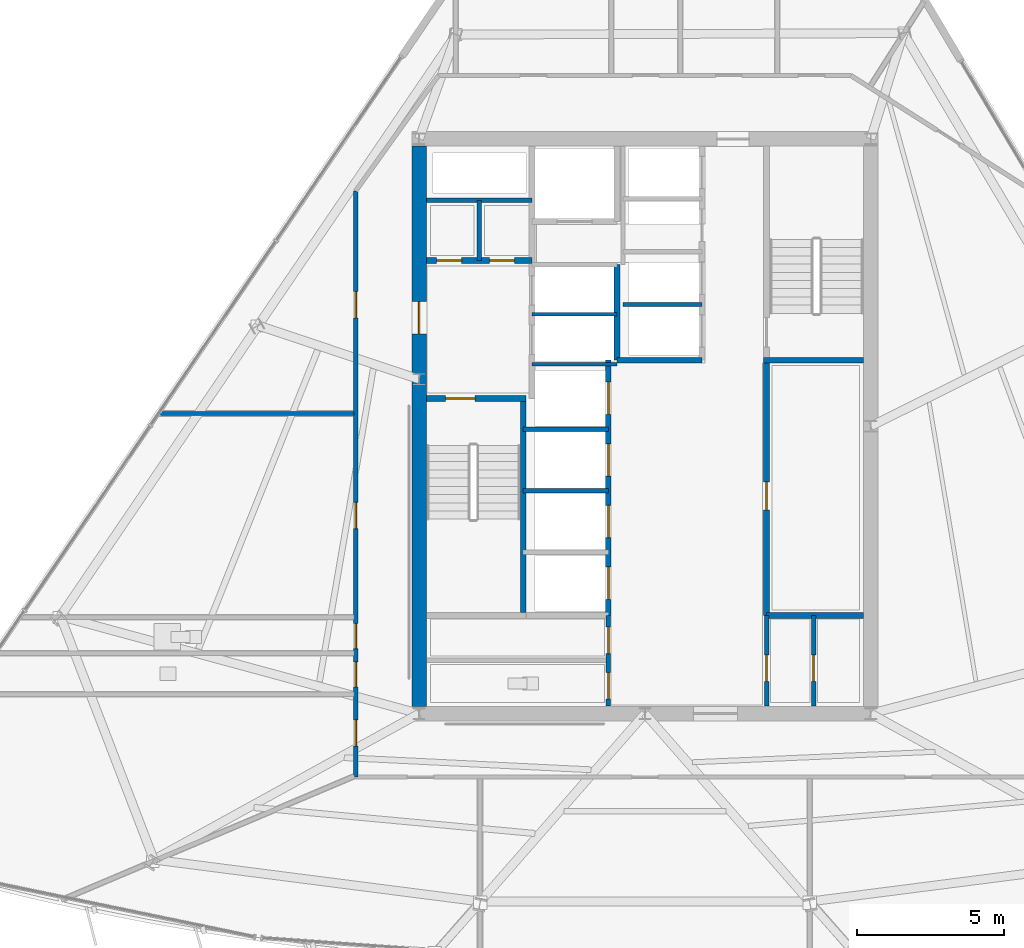
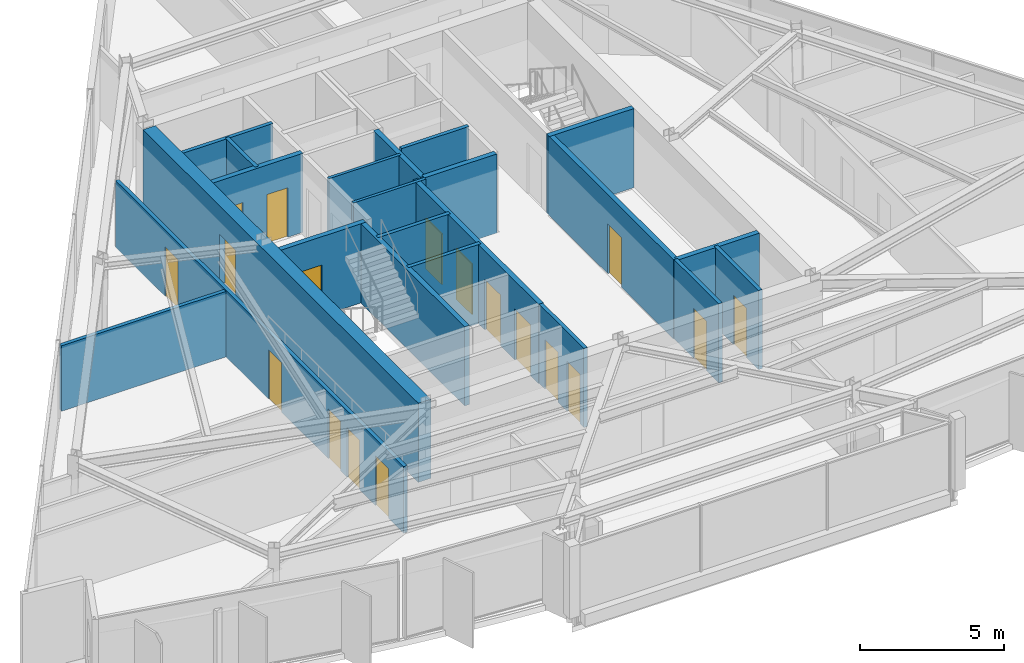
# One storey, part 8 of 14: 22 walls, 18 doors, 18 openings.
"""IFC4 building model written with IfcOpenShell, lengths in metres."""

from ifc_helpers import new_model, si_unit, direction, frame, frame_2d, origin, place, context, subcontext, project, spatial, rectangle, extrude, material, layer, layer_set, type_object, element, fill, save


model = new_model("IFC4")

# Units and contexts
model_context = context("Model", 3, precision=1e-05, world=origin(), true_north=direction((0.0, 1.0)))
body_context = subcontext(model_context, "Body", "Model", "MODEL_VIEW")
ifc_project = project(units=[si_unit("LENGTHUNIT", "METRE"), si_unit("AREAUNIT", "SQUARE_METRE"), si_unit("VOLUMEUNIT", "CUBIC_METRE"), si_unit("PLANEANGLEUNIT", "RADIAN"), si_unit("MASSUNIT", "GRAM", prefix="KILO")], contexts=[model_context])

# Site, building, storey
site_placement = place(None, origin())
site = spatial("IfcSite", under=ifc_project, at=site_placement, CompositionType="ELEMENT")
building_placement = place(site_placement, origin())
building = spatial("IfcBuilding", under=site, at=building_placement, Name="Savorim Split Tower", CompositionType="ELEMENT")
storey_placement = place(building_placement, frame((0.0, 0.0, 205.5)))
storey = spatial("IfcBuildingStorey", under=building, at=storey_placement, Name="L54", CompositionType="ELEMENT", Elevation=205.5)

# Wall, opening, door
ifc_material_1 = material(Name="Concrete C60/75", Category="concrete")
ifc_layer_1 = layer(ifc_material_1, 0.5)
ifc_layer_set_1 = layer_set([ifc_layer_1], Name="WAL-COR-SH500")
wall_type_1 = type_object("IfcWallType", Name="WAL-COR-SH500", PredefinedType="SHEAR", material=ifc_layer_set_1)
wall_1_placement = place(storey_placement, frame((-7.699951171875, -9.14990234375, 0.0), z_axis=(0.0, 0.0, 1.0), x_axis=(0.0, 1.0, 0.0)))
wall_1 = element("IfcWall", 1, at=wall_1_placement, inside=storey, type_object=wall_type_1, Name="L54 Offset Core West Shear Wall", PredefinedType="SHEAR", context=body_context, shape_type="SweptSolid", body=[
    extrude(rectangle(XDim=19.099853515625, YDim=0.5, at=frame_2d((9.5498046875, 0.0))), origin(), (0.0, 0.0, 1.0), 3.35009765625),
])
opening_1_placement = place(wall_1_placement, frame((12.699951171875, 0.0, 0.0)))
opening_1 = element("IfcOpeningElement", 2, at=opening_1_placement, cuts=wall_1, Name="Opening DI-03", PredefinedType="OPENING", context=body_context, shape_type="SweptSolid", body=[
    extrude(rectangle(XDim=1.10009765625, YDim=2.14990234375, at=frame_2d((0.550048828125, 1.074951171875))), frame((0.0, 0.260009765625, 0.0), z_axis=(0.0, -1.0, 0.0), x_axis=(1.0, 0.0, 0.0)), (0.0, 0.0, 1.0), 0.52001953125),
])
ifc_material_2 = material(Name="Timber Fire Door Leaf", Category="wood")
door_type_1 = type_object("IfcDoorType", Name="DOR-FIR-1100", OperationType="NOTDEFINED", PredefinedType="DOOR", material=ifc_material_2)
door_1_placement = place(opening_1_placement, origin())
door_1 = element("IfcDoor", 3, at=door_1_placement, inside=storey, type_object=door_type_1, Name="DOR-L54-COR-FFLOB - L54 Firefighting Lobby Corridor Door", OperationType="SINGLE_SWING_RIGHT", OverallHeight=2.14990234375, OverallWidth=1.10009765625, PredefinedType="DOOR", context=body_context, shape_type="SweptSolid", body=[
    extrude(rectangle(XDim=1.10009765625, YDim=2.14990234375, at=frame_2d((0.550048828125, 1.074951171875))), frame((0.0, 0.02490234375, 0.0), z_axis=(0.0, -1.0, 0.0), x_axis=(1.0, 0.0, 0.0)), (0.0, 0.0, 1.0), 0.050048828125),
])
fill(opening_1, door_1)

ifc_material_3 = material(Name="Concrete C50/60", Category="concrete")
ifc_layer_2 = layer(ifc_material_3, 0.199951171875)
ifc_layer_set_2 = layer_set([ifc_layer_2], Name="WAL-INT-RC200")
wall_type_2 = type_object("IfcWallType", Name="WAL-INT-RC200", PredefinedType="SOLIDWALL", material=ifc_layer_set_2)
wall_2_placement = place(storey_placement, frame((-7.449951171875, 1.35009765625, 0.0), z_axis=(0.0, 0.0, 1.0), x_axis=(1.0, 0.0, 0.0)))
wall_2 = element("IfcWall", 4, at=wall_2_placement, inside=storey, type_object=wall_type_2, Name="L54 Structural Shaft Wall W-L54-CR01", PredefinedType="SOLIDWALL", context=body_context, shape_type="SweptSolid", body=[
    extrude(rectangle(XDim=3.39990234375, YDim=0.199951171875, at=frame_2d((1.699951171875, 0.0))), origin(), (0.0, 0.0, 1.0), 3.35009765625),
])
opening_2_placement = place(wall_2_placement, frame((0.64990234375, 0.0, 0.0)))
opening_2 = element("IfcOpeningElement", 5, at=opening_2_placement, cuts=wall_2, Name="Opening DI-04", PredefinedType="OPENING", context=body_context, shape_type="SweptSolid", body=[
    extrude(rectangle(XDim=1.0, YDim=2.14990234375, at=frame_2d((0.5, 1.074951171875))), frame((0.0, 0.10986328125, 0.0), z_axis=(0.0, -1.0, 0.0), x_axis=(1.0, 0.0, 0.0)), (0.0, 0.0, 1.0), 0.219970703125),
])
door_type_2 = type_object("IfcDoorType", Name="DOR-FIR-1000", OperationType="NOTDEFINED", PredefinedType="DOOR", material=ifc_material_2)
door_2_placement = place(opening_2_placement, origin())
door_2 = element("IfcDoor", 6, at=door_2_placement, inside=storey, type_object=door_type_2, Name="DR-L54-ST1 - L54 Stair ST-1 Enclosure Door", OperationType="SINGLE_SWING_LEFT", OverallHeight=2.14990234375, OverallWidth=1.0, PredefinedType="DOOR", context=body_context, shape_type="SweptSolid", body=[
    extrude(rectangle(XDim=1.0, YDim=2.14990234375, at=frame_2d((0.5, 1.074951171875))), frame((0.0, 0.02490234375, 0.0), z_axis=(0.0, -1.0, 0.0), x_axis=(1.0, 0.0, 0.0)), (0.0, 0.0, 1.0), 0.050048828125),
])
fill(opening_2, door_2)

# Wall
wall_3_placement = place(storey_placement, frame((-4.14990234375, -5.949951171875, 0.0), z_axis=(0.0, 0.0, 1.0), x_axis=(0.0, 1.0, 0.0)))
element("IfcWall", 7, at=wall_3_placement, inside=storey, type_object=wall_type_2, Name="L54 Structural Shaft Wall W-L54-CR02", PredefinedType="SOLIDWALL", context=body_context, shape_type="SweptSolid", body=[
    extrude(rectangle(XDim=7.199951171875, YDim=0.199951171875, at=frame_2d((3.60009765625, 0.0))), origin(), (0.0, 0.0, 1.0), 3.35009765625),
])

# Wall, openings, doors
wall_4_placement = place(storey_placement, frame((-7.445068359375, 6.050048828125, 0.0), z_axis=(0.0, 0.0, 1.0), x_axis=(1.0, 0.0, 0.0)))
wall_4 = element("IfcWall", 8, at=wall_4_placement, inside=storey, type_object=wall_type_2, Name="L54 Partition W-L54-CR04", PredefinedType="SOLIDWALL", context=body_context, shape_type="SweptSolid", body=[
    extrude(rectangle(XDim=3.594970703125, YDim=0.199951171875, at=frame_2d((1.79736328125, 0.0))), origin(), (0.0, 0.0, 1.0), 3.35009765625),
])
opening_3_placement = place(wall_4_placement, frame((0.344970703125, 0.0, 0.0)))
opening_3 = element("IfcOpeningElement", 9, at=opening_3_placement, cuts=wall_4, Name="Opening DI-12", PredefinedType="OPENING", context=body_context, shape_type="SweptSolid", body=[
    extrude(rectangle(XDim=0.85009765625, YDim=2.10009765625, at=frame_2d((0.425048828125, 1.050048828125))), frame((0.0, 0.10986328125, 0.0), z_axis=(0.0, -1.0, 0.0), x_axis=(1.0, 0.0, 0.0)), (0.0, 0.0, 1.0), 0.219970703125),
])
opening_4_placement = place(wall_4_placement, frame((2.14501953125, 0.0, 0.0)))
opening_4 = element("IfcOpeningElement", 10, at=opening_4_placement, cuts=wall_4, Name="Opening DI-12", PredefinedType="OPENING", context=body_context, shape_type="SweptSolid", body=[
    extrude(rectangle(XDim=0.85009765625, YDim=2.10009765625, at=frame_2d((0.425048828125, 1.050048828125))), frame((0.0, 0.10986328125, 0.0), z_axis=(0.0, -1.0, 0.0), x_axis=(1.0, 0.0, 0.0)), (0.0, 0.0, 1.0), 0.219970703125),
])
ifc_material_4 = material(Name="Galvanised Painted Steel Balustrade", Category="steel")
door_type_3 = type_object("IfcDoorType", Name="DOR-RIS-850", OperationType="NOTDEFINED", PredefinedType="DOOR", material=ifc_material_4)
door_3_placement = place(opening_3_placement, origin())
door_3 = element("IfcDoor", 11, at=door_3_placement, inside=storey, type_object=door_type_3, Name="DR-L54-ELR - L54 Electrical Riser Access Door", OperationType="SINGLE_SWING_RIGHT", OverallHeight=2.10009765625, OverallWidth=0.85009765625, PredefinedType="DOOR", context=body_context, shape_type="SweptSolid", body=[
    extrude(rectangle(XDim=0.85009765625, YDim=2.10009765625, at=frame_2d((0.425048828125, 1.050048828125))), frame((0.0, 0.02490234375, 0.0), z_axis=(0.0, -1.0, 0.0), x_axis=(1.0, 0.0, 0.0)), (0.0, 0.0, 1.0), 0.050048828125),
])
fill(opening_3, door_3)
door_4_placement = place(opening_4_placement, origin())
door_4 = element("IfcDoor", 12, at=door_4_placement, inside=storey, type_object=door_type_3, Name="DR-L54-TLR - L54 Telecom Riser Access Door", OperationType="SINGLE_SWING_LEFT", OverallHeight=2.10009765625, OverallWidth=0.85009765625, PredefinedType="DOOR", context=body_context, shape_type="SweptSolid", body=[
    extrude(rectangle(XDim=0.85009765625, YDim=2.10009765625, at=frame_2d((0.425048828125, 1.050048828125))), frame((0.0, 0.02490234375, 0.0), z_axis=(0.0, -1.0, 0.0), x_axis=(1.0, 0.0, 0.0)), (0.0, 0.0, 1.0), 0.050048828125),
])
fill(opening_4, door_4)

# Walls
wall_5_placement = place(storey_placement, frame((4.050048828125, 2.64990234375, 0.0), z_axis=(0.0, 0.0, 1.0), x_axis=(1.0, 0.0, 0.0)))
element("IfcWall", 13, at=wall_5_placement, inside=storey, type_object=wall_type_2, Name="L54 Structural Shaft Wall W-L54-CR08", PredefinedType="SOLIDWALL", context=body_context, shape_type="SweptSolid", body=[
    extrude(rectangle(XDim=3.39990234375, YDim=0.199951171875, at=frame_2d((1.699951171875, 0.0))), origin(), (0.0, 0.0, 1.0), 3.35009765625),
])
wall_6_placement = place(storey_placement, frame((-0.949951171875, 2.64990234375, 0.0), z_axis=(0.0, 0.0, 1.0), x_axis=(0.0, 1.0, 0.0)))
element("IfcWall", 14, at=wall_6_placement, inside=storey, type_object=wall_type_2, Name="L54 Partition W-L54-FFLW", PredefinedType="SOLIDWALL", context=body_context, shape_type="SweptSolid", body=[
    extrude(rectangle(XDim=3.27001953125, YDim=0.199951171875, at=frame_2d((1.635009765625, 0.0))), origin(), (0.0, 0.0, 1.0), 3.35009765625),
])

# Wall, opening, door
wall_7_placement = place(storey_placement, frame((4.14990234375, -6.050048828125, 0.0), z_axis=(0.0, 0.0, 1.0), x_axis=(0.0, 1.0, 0.0)))
wall_7 = element("IfcWall", 15, at=wall_7_placement, inside=storey, type_object=wall_type_2, Name="L54 Partition W-L54-B1FRONT", PredefinedType="SOLIDWALL", context=body_context, shape_type="SweptSolid", body=[
    extrude(rectangle(XDim=8.699951171875, YDim=0.199951171875, at=frame_2d((4.35009765625, 0.0))), origin(), (0.0, 0.0, 1.0), 3.35009765625),
])
opening_5_placement = place(wall_7_placement, frame((3.60009765625, 0.0, 0.0)))
opening_5 = element("IfcOpeningElement", 16, at=opening_5_placement, cuts=wall_7, Name="Opening DI-05", PredefinedType="OPENING", context=body_context, shape_type="SweptSolid", body=[
    extrude(rectangle(XDim=0.949951171875, YDim=2.10009765625, at=frame_2d((0.47509765625, 1.050048828125))), frame((0.0, 0.10986328125, 0.0), z_axis=(0.0, -1.0, 0.0), x_axis=(1.0, 0.0, 0.0)), (0.0, 0.0, 1.0), 0.219970703125),
])
door_type_4 = type_object("IfcDoorType", Name="DOR-FIR-950", OperationType="NOTDEFINED", PredefinedType="DOOR", material=ifc_material_2)
door_5_placement = place(opening_5_placement, origin())
door_5 = element("IfcDoor", 17, at=door_5_placement, inside=storey, type_object=door_type_4, Name="DR-L54-LV7B1 - L54 Shared Pantry and Linen Room Door", OperationType="SINGLE_SWING_RIGHT", OverallHeight=2.10009765625, OverallWidth=0.949951171875, PredefinedType="DOOR", context=body_context, shape_type="SweptSolid", body=[
    extrude(rectangle(XDim=0.949951171875, YDim=2.10009765625, at=frame_2d((0.47509765625, 1.050048828125))), frame((0.0, 0.02490234375, 0.0), z_axis=(0.0, -1.0, 0.0), x_axis=(1.0, 0.0, 0.0)), (0.0, 0.0, 1.0), 0.050048828125),
])
fill(opening_5, door_5)

# Wall, openings, doors
wall_8_placement = place(storey_placement, frame((-1.25, -6.050048828125, 0.0), z_axis=(0.0, 0.0, 1.0), x_axis=(0.0, 1.0, 0.0)))
wall_8 = element("IfcWall", 18, at=wall_8_placement, inside=storey, type_object=wall_type_2, Name="L54 Partition W-L54-B2FRONT", PredefinedType="SOLIDWALL", context=body_context, shape_type="SweptSolid", body=[
    extrude(rectangle(XDim=8.699951171875, YDim=0.199951171875, at=frame_2d((4.35009765625, 0.0))), origin(), (0.0, 0.0, 1.0), 3.35009765625),
])
opening_6_placement = place(wall_8_placement, frame((0.550048828125, 0.0, 0.0)))
opening_6 = element("IfcOpeningElement", 19, at=opening_6_placement, cuts=wall_8, Name="Opening LD-02", PredefinedType="OPENING", context=body_context, shape_type="SweptSolid", body=[
    extrude(rectangle(XDim=1.10009765625, YDim=2.14990234375, at=frame_2d((0.550048828125, 1.074951171875))), frame((0.0, 0.10986328125, 0.0), z_axis=(0.0, -1.0, 0.0), x_axis=(1.0, 0.0, 0.0)), (0.0, 0.0, 1.0), 0.219970703125),
])
opening_7_placement = place(wall_8_placement, frame((2.64990234375, 0.0, 0.0)))
opening_7 = element("IfcOpeningElement", 20, at=opening_7_placement, cuts=wall_8, Name="Opening LD-02", PredefinedType="OPENING", context=body_context, shape_type="SweptSolid", body=[
    extrude(rectangle(XDim=1.10009765625, YDim=2.14990234375, at=frame_2d((0.550048828125, 1.074951171875))), frame((0.0, 0.10986328125, 0.0), z_axis=(0.0, -1.0, 0.0), x_axis=(1.0, 0.0, 0.0)), (0.0, 0.0, 1.0), 0.219970703125),
])
opening_8_placement = place(wall_8_placement, frame((4.75, 0.0, 0.0)))
opening_8 = element("IfcOpeningElement", 21, at=opening_8_placement, cuts=wall_8, Name="Opening LD-02", PredefinedType="OPENING", context=body_context, shape_type="SweptSolid", body=[
    extrude(rectangle(XDim=1.10009765625, YDim=2.14990234375, at=frame_2d((0.550048828125, 1.074951171875))), frame((0.0, 0.10986328125, 0.0), z_axis=(0.0, -1.0, 0.0), x_axis=(1.0, 0.0, 0.0)), (0.0, 0.0, 1.0), 0.219970703125),
])
opening_9_placement = place(wall_8_placement, frame((6.85009765625, 0.0, 0.0)))
opening_9 = element("IfcOpeningElement", 22, at=opening_9_placement, cuts=wall_8, Name="Opening LD-02", PredefinedType="OPENING", context=body_context, shape_type="SweptSolid", body=[
    extrude(rectangle(XDim=1.10009765625, YDim=2.14990234375, at=frame_2d((0.550048828125, 1.074951171875))), frame((0.0, 0.10986328125, 0.0), z_axis=(0.0, -1.0, 0.0), x_axis=(1.0, 0.0, 0.0)), (0.0, 0.0, 1.0), 0.219970703125),
])
ifc_material_5 = material(Name="Charcoal Anodised Aluminium", Category="aluminium")
door_type_5 = type_object("IfcDoorType", Name="DOR-SLD-LDM1100", OperationType="NOTDEFINED", PredefinedType="DOOR", material=ifc_material_5)
door_6_placement = place(opening_6_placement, origin())
door_6 = element("IfcDoor", 23, at=door_6_placement, inside=storey, type_object=door_type_5, Name="DR-L54-LD-PLM1 - L54 Lift PL-M1 Sliding Landing Door", OperationType="DOUBLE_DOOR_SLIDING", OverallHeight=2.14990234375, OverallWidth=1.10009765625, PredefinedType="DOOR", context=body_context, shape_type="SweptSolid", body=[
    extrude(rectangle(XDim=1.10009765625, YDim=2.14990234375, at=frame_2d((0.550048828125, 1.074951171875))), frame((0.0, 0.02490234375, 0.0), z_axis=(0.0, -1.0, 0.0), x_axis=(1.0, 0.0, 0.0)), (0.0, 0.0, 1.0), 0.050048828125),
])
fill(opening_6, door_6)
door_7_placement = place(opening_7_placement, origin())
door_7 = element("IfcDoor", 24, at=door_7_placement, inside=storey, type_object=door_type_5, Name="DR-L54-LD-PLM2 - L54 Lift PL-M2 Sliding Landing Door", OperationType="DOUBLE_DOOR_SLIDING", OverallHeight=2.14990234375, OverallWidth=1.10009765625, PredefinedType="DOOR", context=body_context, shape_type="SweptSolid", body=[
    extrude(rectangle(XDim=1.10009765625, YDim=2.14990234375, at=frame_2d((0.550048828125, 1.074951171875))), frame((0.0, 0.02490234375, 0.0), z_axis=(0.0, -1.0, 0.0), x_axis=(1.0, 0.0, 0.0)), (0.0, 0.0, 1.0), 0.050048828125),
])
fill(opening_7, door_7)
door_8_placement = place(opening_8_placement, origin())
door_8 = element("IfcDoor", 25, at=door_8_placement, inside=storey, type_object=door_type_5, Name="DR-L54-LD-PLM3 - L54 Lift PL-M3 Sliding Landing Door", OperationType="DOUBLE_DOOR_SLIDING", OverallHeight=2.14990234375, OverallWidth=1.10009765625, PredefinedType="DOOR", context=body_context, shape_type="SweptSolid", body=[
    extrude(rectangle(XDim=1.10009765625, YDim=2.14990234375, at=frame_2d((0.550048828125, 1.074951171875))), frame((0.0, 0.02490234375, 0.0), z_axis=(0.0, -1.0, 0.0), x_axis=(1.0, 0.0, 0.0)), (0.0, 0.0, 1.0), 0.050048828125),
])
fill(opening_8, door_8)
door_9_placement = place(opening_9_placement, origin())
door_9 = element("IfcDoor", 26, at=door_9_placement, inside=storey, type_object=door_type_5, Name="DR-L54-LD-PLM4 - L54 Lift PL-M4 Sliding Landing Door", OperationType="DOUBLE_DOOR_SLIDING", OverallHeight=2.14990234375, OverallWidth=1.10009765625, PredefinedType="DOOR", context=body_context, shape_type="SweptSolid", body=[
    extrude(rectangle(XDim=1.10009765625, YDim=2.14990234375, at=frame_2d((0.550048828125, 1.074951171875))), frame((0.0, 0.02490234375, 0.0), z_axis=(0.0, -1.0, 0.0), x_axis=(1.0, 0.0, 0.0)), (0.0, 0.0, 1.0), 0.050048828125),
])
fill(opening_9, door_9)

# Walls
wall_9_placement = place(storey_placement, frame((-0.949951171875, 2.64990234375, 0.0), z_axis=(0.0, 0.0, 1.0), x_axis=(1.0, 0.0, 0.0)))
element("IfcWall", 27, at=wall_9_placement, inside=storey, type_object=wall_type_2, Name="L54 Partition W-L54-B3SOUTH", PredefinedType="SOLIDWALL", context=body_context, shape_type="SweptSolid", body=[
    extrude(rectangle(XDim=2.89990234375, YDim=0.199951171875, at=frame_2d((1.449951171875, 0.0))), origin(), (0.0, 0.0, 1.0), 3.35009765625),
])
wall_10_placement = place(storey_placement, frame((4.14990234375, -6.050048828125, 0.0), z_axis=(0.0, 0.0, 1.0), x_axis=(1.0, 0.0, 0.0)))
element("IfcWall", 28, at=wall_10_placement, inside=storey, type_object=wall_type_2, Name="L54 Partition W-L54-KSEP-E", PredefinedType="SOLIDWALL", context=body_context, shape_type="SweptSolid", body=[
    extrude(rectangle(XDim=3.295166015625, YDim=0.199951171875, at=frame_2d((1.6474609375, 0.0))), origin(), (0.0, 0.0, 1.0), 3.35009765625),
])
ifc_material_6 = material(Name="Acoustic Gypsum Partition Board")
ifc_layer_3 = layer(ifc_material_6, 0.1201171875)
ifc_layer_set_3 = layer_set([ifc_layer_3], Name="WAL-PAR-120")
wall_type_3 = type_object("IfcWallType", Name="WAL-PAR-120", PredefinedType="PARTITIONING", material=ifc_layer_set_3)
for number, where, z_axis, x_axis, name in (
    (29, (-3.85009765625, 2.52001953125, 0.0), (0.0, 0.0, 1.0), (1.0, 0.0, 0.0), "L54 Partition W-L54-FFLD0"),
    (30, (-3.85009765625, 4.219970703125, 0.0), (0.0, 0.0, 1.0), (1.0, 0.0, 0.0), "L54 Partition W-L54-FFLD1"),
):
    element("IfcWall", number, at=place(storey_placement, frame(where, z_axis=z_axis, x_axis=x_axis)), inside=storey, type_object=wall_type_3, Name=name, PredefinedType="PARTITIONING", context=body_context, shape_type="SweptSolid", body=[
        extrude(rectangle(XDim=2.900146484375, YDim=0.1201171875, at=frame_2d((1.4501953125, 0.0))), origin(), (0.0, 0.0, 1.0), 3.35009765625),
    ])
ifc_layer_4 = layer(ifc_material_6, 0.14990234375)
ifc_layer_set_4 = layer_set([ifc_layer_4], Name="WAL-PAR-150")
wall_type_4 = type_object("IfcWallType", Name="WAL-PAR-150", PredefinedType="PARTITIONING", material=ifc_layer_set_4)
wall_11_placement = place(storey_placement, frame((-7.445068359375, 8.10009765625, 0.0), z_axis=(0.0, 0.0, 1.0), x_axis=(1.0, 0.0, 0.0)))
element("IfcWall", 31, at=wall_11_placement, inside=storey, type_object=wall_type_4, Name="L54 Partition W-L54-CR05", PredefinedType="PARTITIONING", context=body_context, shape_type="SweptSolid", body=[
    extrude(rectangle(XDim=3.594970703125, YDim=0.14990234375, at=frame_2d((1.79736328125, 0.0))), origin(), (0.0, 0.0, 1.0), 3.35009765625),
])
wall_12_placement = place(storey_placement, frame((-5.64990234375, 6.050048828125, 0.0), z_axis=(0.0, 0.0, 1.0), x_axis=(0.0, 1.0, 0.0)))
element("IfcWall", 32, at=wall_12_placement, inside=storey, type_object=wall_type_4, Name="L54 Partition W-L54-CR06", PredefinedType="PARTITIONING", context=body_context, shape_type="SweptSolid", body=[
    extrude(rectangle(XDim=2.050048828125, YDim=0.14990234375, at=frame_2d((1.02490234375, 0.0))), origin(), (0.0, 0.0, 1.0), 3.35009765625),
])
for number, where, z_axis, x_axis, name in (
    (33, (-4.14990234375, -1.800048828125, 0.0), (0.0, 0.0, 1.0), (1.0, 0.0, 0.0), "L54 Partition W-L54-B2DIV2"),
    (34, (-4.14990234375, 0.300048828125, 0.0), (0.0, 0.0, 1.0), (1.0, 0.0, 0.0), "L54 Partition W-L54-B2DIV3"),
):
    element("IfcWall", number, at=place(storey_placement, frame(where, z_axis=z_axis, x_axis=x_axis)), inside=storey, type_object=wall_type_4, Name=name, PredefinedType="PARTITIONING", context=body_context, shape_type="SweptSolid", body=[
        extrude(rectangle(XDim=2.89990234375, YDim=0.14990234375, at=frame_2d((1.449951171875, 0.0))), origin(), (0.0, 0.0, 1.0), 3.35009765625),
    ])
wall_13_placement = place(storey_placement, frame((-0.75, 4.550048828125, 0.0), z_axis=(0.0, 0.0, 1.0), x_axis=(1.0, 0.0, 0.0)))
element("IfcWall", 35, at=wall_13_placement, inside=storey, type_object=wall_type_4, Name="L54 Partition W-L54-B3DIV1", PredefinedType="PARTITIONING", context=body_context, shape_type="SweptSolid", body=[
    extrude(rectangle(XDim=2.699951171875, YDim=0.14990234375, at=frame_2d((1.35009765625, 0.0))), origin(), (0.0, 0.0, 1.0), 3.35009765625),
])

# Wall, openings, doors
wall_14_placement = place(storey_placement, frame((-1.25, -9.14501953125, 0.0), z_axis=(0.0, 0.0, 1.0), x_axis=(0.0, 1.0, 0.0)))
wall_14 = element("IfcWall", 36, at=wall_14_placement, inside=storey, type_object=wall_type_4, Name="L54 Partition W-L54-KLOB-W", PredefinedType="PARTITIONING", context=body_context, shape_type="SweptSolid", body=[
    extrude(rectangle(XDim=3.094970703125, YDim=0.14990234375, at=frame_2d((1.54736328125, 0.0))), origin(), (0.0, 0.0, 1.0), 3.35009765625),
])
opening_10_placement = place(wall_14_placement, frame((1.794921875, 0.0, 0.0)))
opening_10 = element("IfcOpeningElement", 37, at=opening_10_placement, cuts=wall_14, Name="Opening DI-06", PredefinedType="OPENING", context=body_context, shape_type="SweptSolid", body=[
    extrude(rectangle(XDim=0.89990234375, YDim=2.10009765625, at=frame_2d((0.449951171875, 1.050048828125))), frame((0.0, 0.0849609375, 0.0), z_axis=(0.0, -1.0, 0.0), x_axis=(1.0, 0.0, 0.0)), (0.0, 0.0, 1.0), 0.169921875),
])
opening_11_placement = place(wall_14_placement, frame((0.2451171875, 0.0, 0.0)))
opening_11 = element("IfcOpeningElement", 38, at=opening_11_placement, cuts=wall_14, Name="Opening DI-11", PredefinedType="OPENING", context=body_context, shape_type="SweptSolid", body=[
    extrude(rectangle(XDim=0.89990234375, YDim=2.10009765625, at=frame_2d((0.449951171875, 1.050048828125))), frame((0.0, 0.0849609375, 0.0), z_axis=(0.0, -1.0, 0.0), x_axis=(1.0, 0.0, 0.0)), (0.0, 0.0, 1.0), 0.169921875),
])
door_type_6 = type_object("IfcDoorType", Name="DOR-FIR-900", OperationType="NOTDEFINED", PredefinedType="DOOR", material=ifc_material_2)
door_10_placement = place(opening_10_placement, origin())
door_10 = element("IfcDoor", 39, at=door_10_placement, inside=storey, type_object=door_type_6, Name="DR-L54-K2CLN - L54 Cleaning Store Door", OperationType="SINGLE_SWING_LEFT", OverallHeight=2.10009765625, OverallWidth=0.89990234375, PredefinedType="DOOR", context=body_context, shape_type="SweptSolid", body=[
    extrude(rectangle(XDim=0.89990234375, YDim=2.10009765625, at=frame_2d((0.449951171875, 1.050048828125))), frame((0.0, 0.02490234375, 0.0), z_axis=(0.0, -1.0, 0.0), x_axis=(1.0, 0.0, 0.0)), (0.0, 0.0, 1.0), 0.050048828125),
])
fill(opening_10, door_10)
ifc_material_7 = material(Name="Oak Veneer Acoustic Door")
door_type_7 = type_object("IfcDoorType", Name="DOR-WC-900", OperationType="NOTDEFINED", PredefinedType="DOOR", material=ifc_material_7)
door_11_placement = place(opening_11_placement, origin())
door_11 = element("IfcDoor", 40, at=door_11_placement, inside=storey, type_object=door_type_7, Name="DR-L54-K2WC - L54 Core WC Door", OperationType="SINGLE_SWING_RIGHT", OverallHeight=2.10009765625, OverallWidth=0.89990234375, PredefinedType="DOOR", context=body_context, shape_type="SweptSolid", body=[
    extrude(rectangle(XDim=0.89990234375, YDim=2.10009765625, at=frame_2d((0.449951171875, 1.050048828125))), frame((0.0, 0.02490234375, 0.0), z_axis=(0.0, -1.0, 0.0), x_axis=(1.0, 0.0, 0.0)), (0.0, 0.0, 1.0), 0.050048828125),
])
fill(opening_11, door_11)

# Wall, opening, door
wall_15_placement = place(storey_placement, frame((4.14990234375, -9.14501953125, 0.0), z_axis=(0.0, 0.0, 1.0), x_axis=(0.0, 1.0, 0.0)))
wall_15 = element("IfcWall", 41, at=wall_15_placement, inside=storey, type_object=wall_type_4, Name="L54 Partition W-L54-KLOB-E", PredefinedType="PARTITIONING", context=body_context, shape_type="SweptSolid", body=[
    extrude(rectangle(XDim=3.094970703125, YDim=0.14990234375, at=frame_2d((1.54736328125, 0.0))), origin(), (0.0, 0.0, 1.0), 3.35009765625),
])
opening_12_placement = place(wall_15_placement, frame((0.844970703125, 0.0, 0.0)))
opening_12 = element("IfcOpeningElement", 42, at=opening_12_placement, cuts=wall_15, Name="Opening DI-06", PredefinedType="OPENING", context=body_context, shape_type="SweptSolid", body=[
    extrude(rectangle(XDim=0.89990234375, YDim=2.10009765625, at=frame_2d((0.449951171875, 1.050048828125))), frame((0.0, 0.0849609375, 0.0), z_axis=(0.0, -1.0, 0.0), x_axis=(1.0, 0.0, 0.0)), (0.0, 0.0, 1.0), 0.169921875),
])
door_12_placement = place(opening_12_placement, origin())
door_12 = element("IfcDoor", 43, at=door_12_placement, inside=storey, type_object=door_type_6, Name="DR-L54-K2PAN - L54 Vending Pantry Door", OperationType="SINGLE_SWING_LEFT", OverallHeight=2.10009765625, OverallWidth=0.89990234375, PredefinedType="DOOR", context=body_context, shape_type="SweptSolid", body=[
    extrude(rectangle(XDim=0.89990234375, YDim=2.10009765625, at=frame_2d((0.449951171875, 1.050048828125))), frame((0.0, 0.02490234375, 0.0), z_axis=(0.0, -1.0, 0.0), x_axis=(1.0, 0.0, 0.0)), (0.0, 0.0, 1.0), 0.050048828125),
])
fill(opening_12, door_12)

wall_16_placement = place(storey_placement, frame((5.75, -9.14501953125, 0.0), z_axis=(0.0, 0.0, 1.0), x_axis=(0.0, 1.0, 0.0)))
wall_16 = element("IfcWall", 44, at=wall_16_placement, inside=storey, type_object=wall_type_4, Name="L54 Partition W-L54-K2E", PredefinedType="PARTITIONING", context=body_context, shape_type="SweptSolid", body=[
    extrude(rectangle(XDim=3.094970703125, YDim=0.14990234375, at=frame_2d((1.54736328125, 0.0))), origin(), (0.0, 0.0, 1.0), 3.35009765625),
])
opening_13_placement = place(wall_16_placement, frame((0.844970703125, 0.0, 0.0)))
opening_13 = element("IfcOpeningElement", 45, at=opening_13_placement, cuts=wall_16, Name="Opening DI-06", PredefinedType="OPENING", context=body_context, shape_type="SweptSolid", body=[
    extrude(rectangle(XDim=0.89990234375, YDim=2.10009765625, at=frame_2d((0.449951171875, 1.050048828125))), frame((0.0, 0.0849609375, 0.0), z_axis=(0.0, -1.0, 0.0), x_axis=(1.0, 0.0, 0.0)), (0.0, 0.0, 1.0), 0.169921875),
])
door_13_placement = place(opening_13_placement, origin())
door_13 = element("IfcDoor", 46, at=door_13_placement, inside=storey, type_object=door_type_6, Name="DR-L54-K2REF - L54 Recycling Room Door", OperationType="SINGLE_SWING_RIGHT", OverallHeight=2.10009765625, OverallWidth=0.89990234375, PredefinedType="DOOR", context=body_context, shape_type="SweptSolid", body=[
    extrude(rectangle(XDim=0.89990234375, YDim=2.10009765625, at=frame_2d((0.449951171875, 1.050048828125))), frame((0.0, 0.02490234375, 0.0), z_axis=(0.0, -1.0, 0.0), x_axis=(1.0, 0.0, 0.0)), (0.0, 0.0, 1.0), 0.050048828125),
])
fill(opening_13, door_13)

# Wall, openings, doors
wall_17_placement = place(storey_placement, frame((-9.860107421875, -11.56005859375, 0.0), z_axis=(0.0, 0.0, 1.0), x_axis=(0.0, 1.0, 0.0)))
wall_17 = element("IfcWall", 47, at=wall_17_placement, inside=storey, type_object=wall_type_4, Name="L54 Partition W-L54-COR-01", PredefinedType="PARTITIONING", context=body_context, shape_type="SweptSolid", body=[
    extrude(rectangle(XDim=19.98583984375, YDim=0.14990234375, at=frame_2d((9.992919921875, 0.0))), origin(), (0.0, 0.0, 1.0), 2.824951171875),
])
opening_14_placement = place(wall_17_placement, frame((8.4677734375, 0.0, 0.0)))
opening_14 = element("IfcOpeningElement", 48, at=opening_14_placement, cuts=wall_17, Name="Opening DI-06", PredefinedType="OPENING", context=body_context, shape_type="SweptSolid", body=[
    extrude(rectangle(XDim=0.89990234375, YDim=2.10009765625, at=frame_2d((0.449951171875, 1.050048828125))), frame((0.0, 0.0849609375, 0.0), z_axis=(0.0, -1.0, 0.0), x_axis=(1.0, 0.0, 0.0)), (0.0, 0.0, 1.0), 0.169921875),
])
opening_15_placement = place(wall_17_placement, frame((4.38037109375, 0.0, 0.0)))
opening_15 = element("IfcOpeningElement", 49, at=opening_15_placement, cuts=wall_17, Name="Opening DI-13", PredefinedType="OPENING", context=body_context, shape_type="SweptSolid", body=[
    extrude(rectangle(XDim=0.85009765625, YDim=2.10009765625, at=frame_2d((0.425048828125, 1.050048828125))), frame((0.0, 0.0849609375, 0.0), z_axis=(0.0, -1.0, 0.0), x_axis=(1.0, 0.0, 0.0)), (0.0, 0.0, 1.0), 0.169921875),
])
opening_16_placement = place(wall_17_placement, frame((3.0712890625, 0.0, 0.0)))
opening_16 = element("IfcOpeningElement", 50, at=opening_16_placement, cuts=wall_17, Name="Opening DI-13", PredefinedType="OPENING", context=body_context, shape_type="SweptSolid", body=[
    extrude(rectangle(XDim=0.85009765625, YDim=2.10009765625, at=frame_2d((0.425048828125, 1.050048828125))), frame((0.0, 0.0849609375, 0.0), z_axis=(0.0, -1.0, 0.0), x_axis=(1.0, 0.0, 0.0)), (0.0, 0.0, 1.0), 0.169921875),
])
opening_17_placement = place(wall_17_placement, frame((1.05078125, 0.0, 0.0)))
opening_17 = element("IfcOpeningElement", 51, at=opening_17_placement, cuts=wall_17, Name="Opening DI-06", PredefinedType="OPENING", context=body_context, shape_type="SweptSolid", body=[
    extrude(rectangle(XDim=0.89990234375, YDim=2.10009765625, at=frame_2d((0.449951171875, 1.050048828125))), frame((0.0, 0.0849609375, 0.0), z_axis=(0.0, -1.0, 0.0), x_axis=(1.0, 0.0, 0.0)), (0.0, 0.0, 1.0), 0.169921875),
])
opening_18_placement = place(wall_17_placement, frame((15.65087890625, 0.0, 0.0)))
opening_18 = element("IfcOpeningElement", 52, at=opening_18_placement, cuts=wall_17, Name="Opening DI-06", PredefinedType="OPENING", context=body_context, shape_type="SweptSolid", body=[
    extrude(rectangle(XDim=0.89990234375, YDim=2.10009765625, at=frame_2d((0.449951171875, 1.050048828125))), frame((0.0, 0.0849609375, 0.0), z_axis=(0.0, -1.0, 0.0), x_axis=(1.0, 0.0, 0.0)), (0.0, 0.0, 1.0), 0.169921875),
])
door_type_8 = type_object("IfcDoorType", Name="DOR-FIR-850", OperationType="NOTDEFINED", PredefinedType="DOOR", material=ifc_material_2)
door_14_placement = place(opening_15_placement, origin())
door_14 = element("IfcDoor", 53, at=door_14_placement, inside=storey, type_object=door_type_8, Name="DR-L54-RM02 - L54 Shared Bathroom Entry Door", OperationType="SINGLE_SWING_LEFT", OverallHeight=2.10009765625, OverallWidth=0.85009765625, PredefinedType="DOOR", context=body_context, shape_type="SweptSolid", body=[
    extrude(rectangle(XDim=0.85009765625, YDim=2.10009765625, at=frame_2d((0.425048828125, 1.050048828125))), frame((0.0, 0.02490234375, 0.0), z_axis=(0.0, -1.0, 0.0), x_axis=(1.0, 0.0, 0.0)), (0.0, 0.0, 1.0), 0.050048828125),
])
fill(opening_15, door_14)
door_15_placement = place(opening_16_placement, origin())
door_15 = element("IfcDoor", 54, at=door_15_placement, inside=storey, type_object=door_type_8, Name="DR-L54-RM03 - L54 Shared Kitchen Entry Door", OperationType="SINGLE_SWING_RIGHT", OverallHeight=2.10009765625, OverallWidth=0.85009765625, PredefinedType="DOOR", context=body_context, shape_type="SweptSolid", body=[
    extrude(rectangle(XDim=0.85009765625, YDim=2.10009765625, at=frame_2d((0.425048828125, 1.050048828125))), frame((0.0, 0.02490234375, 0.0), z_axis=(0.0, -1.0, 0.0), x_axis=(1.0, 0.0, 0.0)), (0.0, 0.0, 1.0), 0.050048828125),
])
fill(opening_16, door_15)
door_16_placement = place(opening_14_placement, origin())
door_16 = element("IfcDoor", 55, at=door_16_placement, inside=storey, type_object=door_type_6, Name="DR-L54-RM01 - L54 Co-Working Commons Entry Door", OperationType="SINGLE_SWING_RIGHT", OverallHeight=2.10009765625, OverallWidth=0.89990234375, PredefinedType="DOOR", context=body_context, shape_type="SweptSolid", body=[
    extrude(rectangle(XDim=0.89990234375, YDim=2.10009765625, at=frame_2d((0.449951171875, 1.050048828125))), frame((0.0, 0.02490234375, 0.0), z_axis=(0.0, -1.0, 0.0), x_axis=(1.0, 0.0, 0.0)), (0.0, 0.0, 1.0), 0.050048828125),
])
fill(opening_14, door_16)
door_17_placement = place(opening_17_placement, origin())
door_17 = element("IfcDoor", 56, at=door_17_placement, inside=storey, type_object=door_type_6, Name="DR-L54-RM04 - L54 Co-Working Commons Entry Door", OperationType="SINGLE_SWING_LEFT", OverallHeight=2.10009765625, OverallWidth=0.89990234375, PredefinedType="DOOR", context=body_context, shape_type="SweptSolid", body=[
    extrude(rectangle(XDim=0.89990234375, YDim=2.10009765625, at=frame_2d((0.449951171875, 1.050048828125))), frame((0.0, 0.02490234375, 0.0), z_axis=(0.0, -1.0, 0.0), x_axis=(1.0, 0.0, 0.0)), (0.0, 0.0, 1.0), 0.050048828125),
])
fill(opening_17, door_17)
door_18_placement = place(opening_18_placement, origin())
door_18 = element("IfcDoor", 57, at=door_18_placement, inside=storey, type_object=door_type_6, Name="DR-L54-RM17 - L54 Co-Working Commons Entry Door", OperationType="SINGLE_SWING_RIGHT", OverallHeight=2.10009765625, OverallWidth=0.89990234375, PredefinedType="DOOR", context=body_context, shape_type="SweptSolid", body=[
    extrude(rectangle(XDim=0.89990234375, YDim=2.10009765625, at=frame_2d((0.449951171875, 1.050048828125))), frame((0.0, 0.02490234375, 0.0), z_axis=(0.0, -1.0, 0.0), x_axis=(1.0, 0.0, 0.0)), (0.0, 0.0, 1.0), 0.050048828125),
])
fill(opening_18, door_18)

# Wall
wall_18_placement = place(storey_placement, frame((-9.919921875, 0.834716796875, 0.0), z_axis=(0.0, 0.0, 1.0), x_axis=(-1.0, 0.0, 0.0)))
element("IfcWall", 58, at=wall_18_placement, inside=storey, type_object=wall_type_4, Name="L54 Partition W-L54-SUB09", PredefinedType="PARTITIONING", context=body_context, shape_type="SweptSolid", body=[
    extrude(rectangle(XDim=6.5966796875, YDim=0.14990234375, at=frame_2d((3.29833984375, 0.0))), origin(), (0.0, 0.0, 1.0), 2.77490234375),
])

save(model, "model.ifc")
